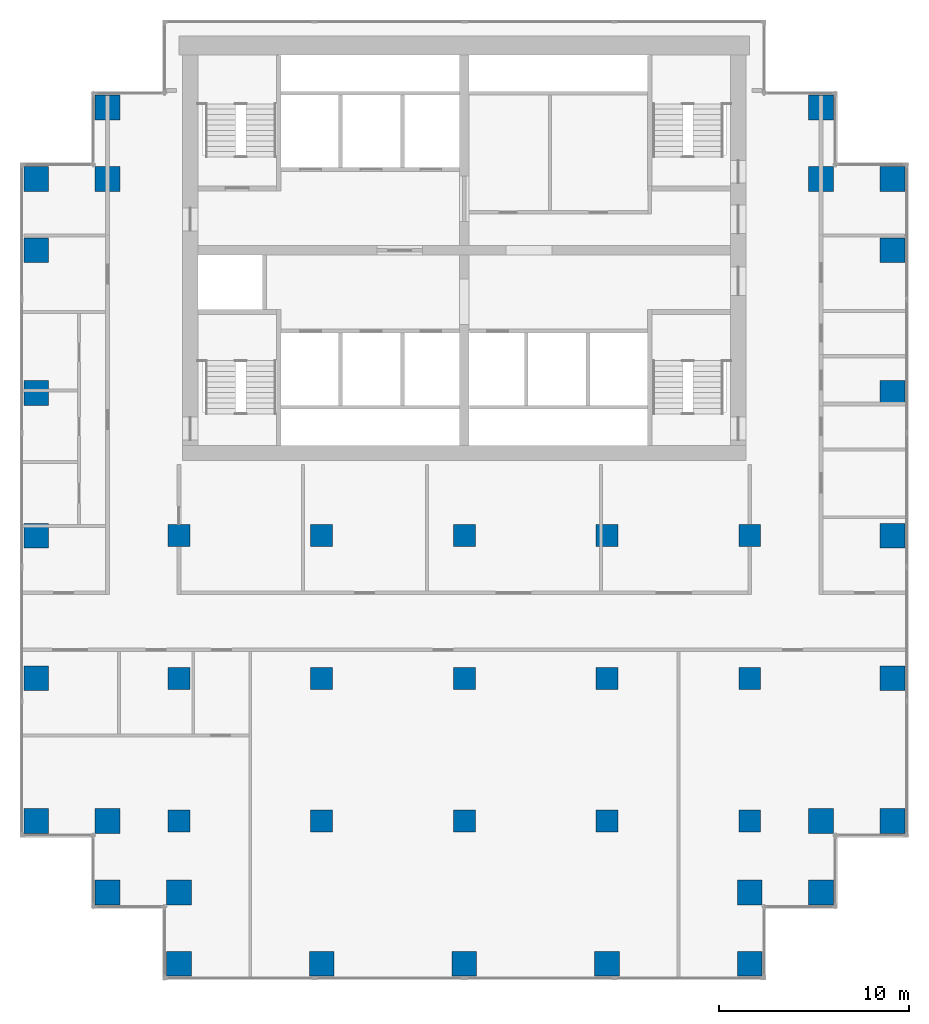
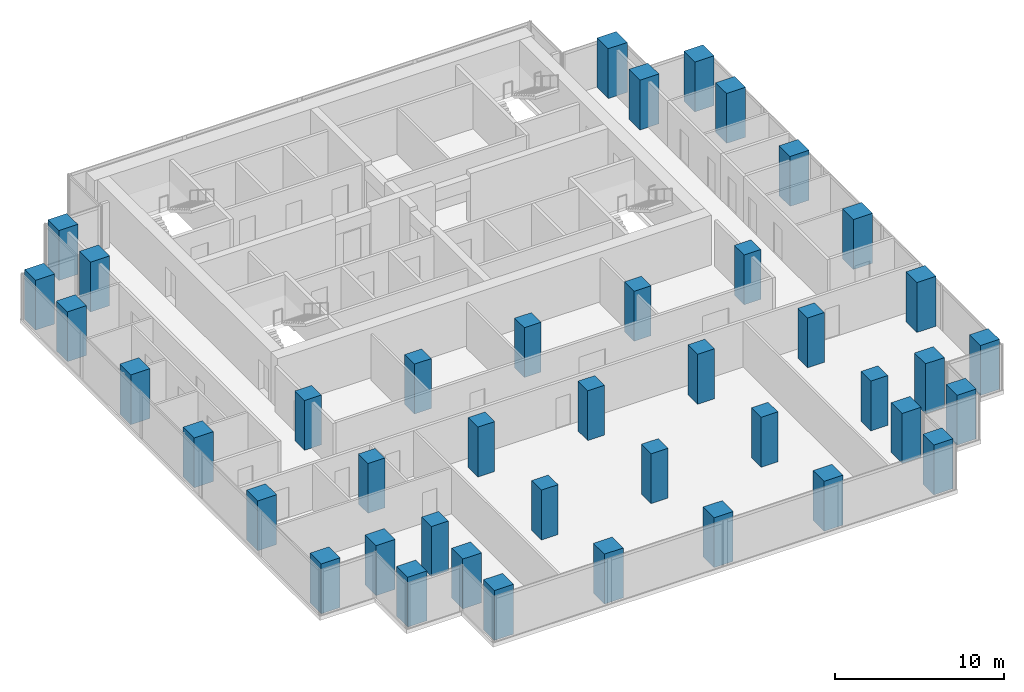
# One storey, part 1 of 10: 42 columns.
"""IFC4 building model written with IfcOpenShell, lengths in metres."""

from ifc_helpers import new_model, si_unit, direction, frame, origin, origin_2d, place, context, subcontext, project, spatial, rectangle, extrude, material, material_profile, profile_set, type_object, element, save


model = new_model("IFC4")

# Units and contexts
model_context = context("Model", 3, precision=1e-05, world=origin(), true_north=direction((0.0, 1.0)))
body_context = subcontext(model_context, "Body", "Model", "MODEL_VIEW")
ifc_project = project(units=[si_unit("LENGTHUNIT", "METRE"), si_unit("AREAUNIT", "SQUARE_METRE"), si_unit("VOLUMEUNIT", "CUBIC_METRE"), si_unit("PLANEANGLEUNIT", "RADIAN"), si_unit("MASSUNIT", "GRAM", prefix="KILO")], contexts=[model_context])

# Site, building, storey
site_placement = place(None, origin())
site = spatial("IfcSite", under=ifc_project, at=site_placement, CompositionType="ELEMENT")
building_placement = place(site_placement, origin())
building = spatial("IfcBuilding", under=site, at=building_placement, Name="Pilkhan Gate Tower", CompositionType="ELEMENT")
storey_placement = place(building_placement, frame((0.0, 0.0, 136.0)))
storey = spatial("IfcBuildingStorey", under=building, at=storey_placement, Name="L34", CompositionType="ELEMENT", Elevation=136.0)

# Columns
ifc_material = material(Name="Concrete C60/75", Category="concrete")
ifc_material_profile_1 = material_profile(ifc_material, rectangle(XDim=1.14990234375, YDim=1.14990234375, at=origin_2d()), Name="RC 1150x1150")
ifc_profile_set_1 = profile_set([ifc_material_profile_1], Name="Concrete C60/75")
column_type_1 = type_object("IfcColumnType", Name="Column C115 RC 1150x1150 C60/75", PredefinedType="COLUMN", material=ifc_profile_set_1)
for number, where, z_axis, x_axis, name in (
    (1, (60.0, 52.5, 0.0), (0.0, 0.0, 1.0), (1.0, 0.0, 0.0), "Column 7/D L34"),
    (2, (60.0, 60.0, 0.0), (0.0, 0.0, 1.0), (1.0, 0.0, 0.0), "Column 7/F L34"),
    (3, (60.0, 67.5, 0.0), (0.0, 0.0, 1.0), (1.0, 0.0, 0.0), "Column 7/H L34"),
    (4, (67.5, 52.5, 0.0), (0.0, 0.0, 1.0), (1.0, 0.0, 0.0), "Column 9/D L34"),
    (5, (67.5, 60.0, 0.0), (0.0, 0.0, 1.0), (1.0, 0.0, 0.0), "Column 9/F L34"),
    (6, (67.5, 67.5, 0.0), (0.0, 0.0, 1.0), (1.0, 0.0, 0.0), "Column 9/H L34"),
    (7, (75.0, 52.5, 0.0), (0.0, 0.0, 1.0), (1.0, 0.0, 0.0), "Column 11/D L34"),
    (8, (75.0, 60.0, 0.0), (0.0, 0.0, 1.0), (1.0, 0.0, 0.0), "Column 11/F L34"),
    (9, (75.0, 67.5, 0.0), (0.0, 0.0, 1.0), (1.0, 0.0, 0.0), "Column 11/H L34"),
    (10, (82.5, 52.5, 0.0), (0.0, 0.0, 1.0), (1.0, 0.0, 0.0), "Column 13/D L34"),
    (11, (82.5, 60.0, 0.0), (0.0, 0.0, 1.0), (1.0, 0.0, 0.0), "Column 13/F L34"),
    (12, (82.5, 67.5, 0.0), (0.0, 0.0, 1.0), (1.0, 0.0, 0.0), "Column 13/H L34"),
    (13, (90.0, 52.5, 0.0), (0.0, 0.0, 1.0), (1.0, 0.0, 0.0), "Column 15/D L34"),
    (14, (90.0, 60.0, 0.0), (0.0, 0.0, 1.0), (1.0, 0.0, 0.0), "Column 15/F L34"),
    (15, (90.0, 67.5, 0.0), (0.0, 0.0, 1.0), (1.0, 0.0, 0.0), "Column 15/H L34"),
):
    element("IfcColumn", number, at=place(storey_placement, frame(where, z_axis=z_axis, x_axis=x_axis)), inside=storey, type_object=column_type_1, Name=name, PredefinedType="COLUMN", context=body_context, shape_type="SweptSolid", body=[
        extrude(rectangle(XDim=1.14990234375, YDim=1.14990234375, at=origin_2d()), origin(), (0.0, 0.0, 1.0), 3.60009765625),
    ])
ifc_material_profile_2 = material_profile(ifc_material, rectangle(XDim=1.300048828125, YDim=1.300048828125, at=origin_2d()), Name="RC 1300x1300")
ifc_profile_set_2 = profile_set([ifc_material_profile_2], Name="Concrete C60/75")
column_type_2 = type_object("IfcColumnType", Name="Column C130 RC 1300x1300 C60/75", PredefinedType="COLUMN", material=ifc_profile_set_2)
for number, where, z_axis, x_axis, name in (
    (16, (52.5, 52.5, 0.0), (0.0, 0.0, 1.0), (1.0, 0.0, 0.0), "Column 5/D L34"),
    (17, (52.5, 60.0, 0.0), (0.0, 0.0, 1.0), (1.0, 0.0, 0.0), "Column 5/F L34"),
    (18, (52.5, 67.5, 0.0), (0.0, 0.0, 1.0), (1.0, 0.0, 0.0), "Column 5/H L34"),
    (19, (52.5, 75.0, 0.0), (0.0, 0.0, 1.0), (1.0, 0.0, 0.0), "Column 5/K L34"),
    (20, (52.5, 82.5, 0.0), (0.0, 0.0, 1.0), (1.0, 0.0, 0.0), "Column 5/M L34"),
    (21, (52.5, 86.25, 0.0), (0.0, 0.0, 1.0), (1.0, 0.0, 0.0), "Column 5/N L34"),
    (22, (56.25, 48.75, 0.0), (0.0, 0.0, 1.0), (1.0, 0.0, 0.0), "Column 6/C L34"),
    (23, (56.25, 52.5, 0.0), (0.0, 0.0, 1.0), (1.0, 0.0, 0.0), "Column 6/D L34"),
    (24, (56.25, 86.25, 0.0), (0.0, 0.0, 1.0), (1.0, 0.0, 0.0), "Column 6/N L34"),
    (25, (56.25, 90.0, 0.0), (0.0, 0.0, 1.0), (1.0, 0.0, 0.0), "Column 6/P L34"),
    (26, (60.0, 45.0, 0.0), (0.0, 0.0, 1.0), (1.0, 0.0, 0.0), "Column 7/B L34"),
    (27, (60.0, 48.75, 0.0), (0.0, 0.0, 1.0), (1.0, 0.0, 0.0), "Column 7/C L34"),
    (28, (67.5, 45.0, 0.0), (0.0, 0.0, 1.0), (1.0, 0.0, 0.0), "Column 9/B L34"),
    (29, (75.0, 45.0, 0.0), (0.0, 0.0, 1.0), (1.0, 0.0, 0.0), "Column 11/B L34"),
    (30, (82.5, 45.0, 0.0), (0.0, 0.0, 1.0), (1.0, 0.0, 0.0), "Column 13/B L34"),
    (31, (90.0, 45.0, 0.0), (0.0, 0.0, 1.0), (1.0, 0.0, 0.0), "Column 15/B L34"),
    (32, (90.0, 48.75, 0.0), (0.0, 0.0, 1.0), (1.0, 0.0, 0.0), "Column 15/C L34"),
    (33, (93.75, 48.75, 0.0), (0.0, 0.0, 1.0), (1.0, 0.0, 0.0), "Column 16/C L34"),
    (34, (93.75, 52.5, 0.0), (0.0, 0.0, 1.0), (1.0, 0.0, 0.0), "Column 16/D L34"),
    (35, (93.75, 86.25, 0.0), (0.0, 0.0, 1.0), (1.0, 0.0, 0.0), "Column 16/N L34"),
    (36, (93.75, 90.0, 0.0), (0.0, 0.0, 1.0), (1.0, 0.0, 0.0), "Column 16/P L34"),
    (37, (97.5, 52.5, 0.0), (0.0, 0.0, 1.0), (1.0, 0.0, 0.0), "Column 17/D L34"),
    (38, (97.5, 60.0, 0.0), (0.0, 0.0, 1.0), (1.0, 0.0, 0.0), "Column 17/F L34"),
    (39, (97.5, 67.5, 0.0), (0.0, 0.0, 1.0), (1.0, 0.0, 0.0), "Column 17/H L34"),
    (40, (97.5, 75.0, 0.0), (0.0, 0.0, 1.0), (1.0, 0.0, 0.0), "Column 17/K L34"),
    (41, (97.5, 82.5, 0.0), (0.0, 0.0, 1.0), (1.0, 0.0, 0.0), "Column 17/M L34"),
    (42, (97.5, 86.25, 0.0), (0.0, 0.0, 1.0), (1.0, 0.0, 0.0), "Column 17/N L34"),
):
    element("IfcColumn", number, at=place(storey_placement, frame(where, z_axis=z_axis, x_axis=x_axis)), inside=storey, type_object=column_type_2, Name=name, PredefinedType="COLUMN", context=body_context, shape_type="SweptSolid", body=[
        extrude(rectangle(XDim=1.300048828125, YDim=1.300048828125, at=origin_2d()), origin(), (0.0, 0.0, 1.0), 3.60009765625),
    ])

save(model, "model.ifc")
